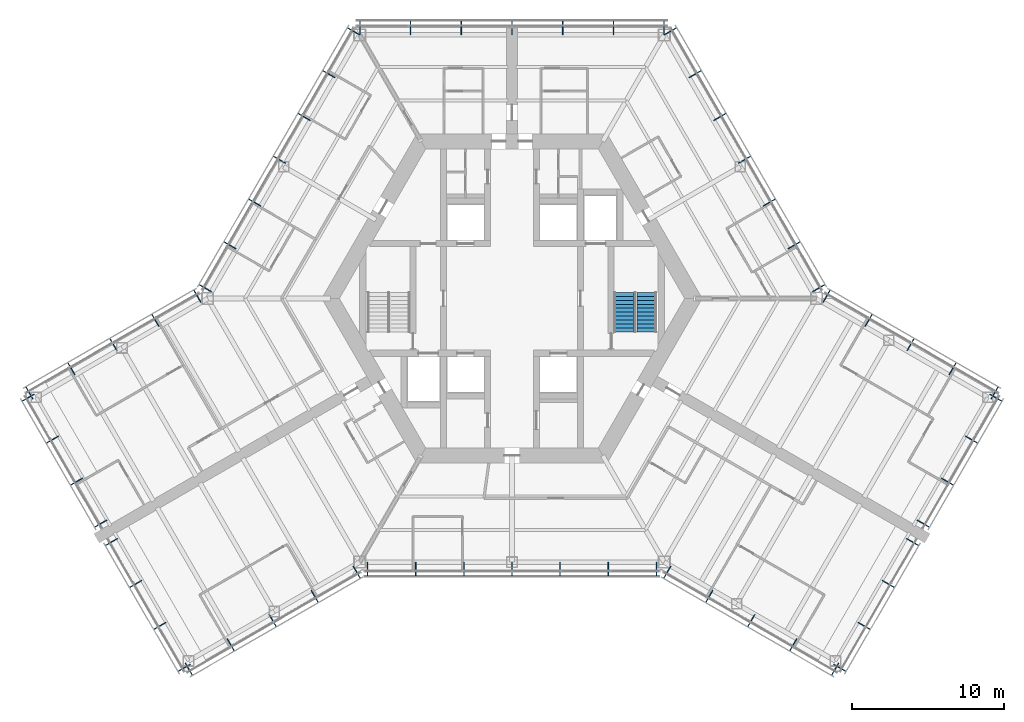
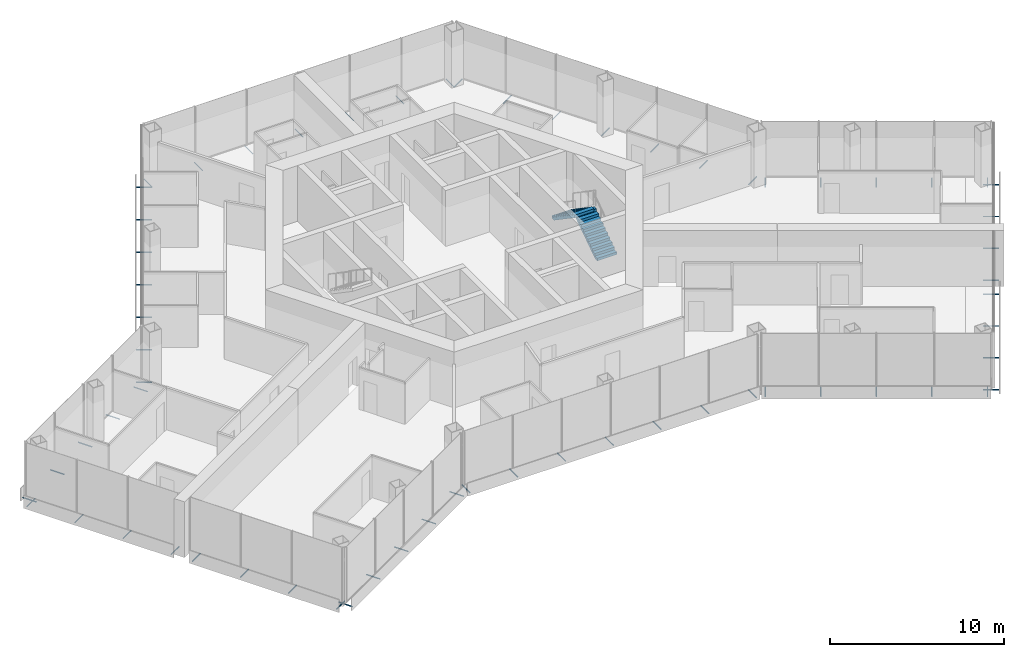
# One storey, part 16 of 18: 64 discrete accessories, 2 stair flights, 1 element without a shape of its own.
"""IFC4 building model written with IfcOpenShell, lengths in metres."""

from ifc_helpers import new_model, si_unit, direction, frame, origin, origin_2d, place, context, subcontext, project, spatial, polyline, hollow_circle, outline, extrude, material, material_profile, profile_set, type_object, element, aggregate, save


model = new_model("IFC4")

# Units and contexts
model_context = context("Model", 3, precision=1e-05, world=origin(), true_north=direction((0.0, 1.0)))
body_context = subcontext(model_context, "Body", "Model", "MODEL_VIEW")
ifc_project = project(units=[si_unit("LENGTHUNIT", "METRE"), si_unit("AREAUNIT", "SQUARE_METRE"), si_unit("VOLUMEUNIT", "CUBIC_METRE"), si_unit("PLANEANGLEUNIT", "RADIAN"), si_unit("MASSUNIT", "GRAM", prefix="KILO")], contexts=[model_context])

# Site, building, storey
site_placement = place(None, origin())
site = spatial("IfcSite", under=ifc_project, at=site_placement, CompositionType="ELEMENT")
building_placement = place(site_placement, origin())
building = spatial("IfcBuilding", under=site, at=building_placement, Name="Kasaneha Research Tower", CompositionType="ELEMENT")
storey_placement = place(building_placement, frame((0.0, 0.0, 140.89990234375)))
storey = spatial("IfcBuildingStorey", under=building, at=storey_placement, Name="L35", CompositionType="ELEMENT", Elevation=140.89990234375)

# Stair, stair flights
ifc_material_1 = material(Name="Concrete Fc24", Category="concrete")
stair_type = type_object("IfcStairType", Name="Half-turn stair 22 risers", PredefinedType="HALF_TURN_STAIR", material=ifc_material_1)
stair_placement = place(storey_placement, origin())
stair = element("IfcStair", 1, at=stair_placement, inside=storey, type_object=stair_type, Name="Stair 1 L35", PredefinedType="HALF_TURN_STAIR")
ifc_material_2 = material(Name="Concrete Fc24", Category="concrete")
stair_flight_type = type_object("IfcStairFlightType", Name="Stair flight 11 risers 177.3", PredefinedType="STRAIGHT", material=ifc_material_2)
stair_flight_1_placement = place(storey_placement, frame((8.85009765625, -2.199951171875, 0.0), z_axis=(0.0, 0.0, 1.0), x_axis=(0.0, 1.0, 0.0)))
stair_flight_1 = element("IfcStairFlight", 2, at=stair_flight_1_placement, type_object=stair_flight_type, Name="ST1-22R flight 1", NumberOfRisers=11, NumberOfTreads=10, PredefinedType="STRAIGHT", RiserHeight=0.177272727, TreadLength=0.26, context=body_context, shape_type="SweptSolid", body=[
    extrude(outline(polyline([(0.0, 0.0), (0.0, 0.17724609375), (0.260009765625, 0.17724609375), (0.260009765625, 0.3544921875), (0.52001953125, 0.3544921875), (0.52001953125, 0.53173828125), (0.780029296875, 0.53173828125), (0.780029296875, 0.708984375), (1.0400390625, 0.708984375), (1.0400390625, 0.886474609375), (1.300048828125, 0.886474609375), (1.300048828125, 1.063720703125), (1.56005859375, 1.063720703125), (1.56005859375, 1.240966796875), (1.820068359375, 1.240966796875), (1.820068359375, 1.418212890625), (2.080078125, 1.418212890625), (2.080078125, 1.595458984375), (2.340087890625, 1.595458984375), (2.340087890625, 1.772705078125), (2.60009765625, 1.772705078125), (2.60009765625, 1.949951171875), (2.60009765625, 1.59130859375), (0.26611328125, 0.0), (0.0, 0.0)])), frame((0.0, 0.64990234375, 0.0), z_axis=(0.0, -1.0, 0.0), x_axis=(1.0, 0.0, 0.0)), (0.0, 0.0, 1.0), 1.300048828125),
])
stair_flight_2_placement = place(storey_placement, frame((7.35009765625, 0.39990234375, 1.9501953125), z_axis=(0.0, 0.0, 1.0), x_axis=(0.0, -1.0, 0.0)))
stair_flight_2 = element("IfcStairFlight", 3, at=stair_flight_2_placement, type_object=stair_flight_type, Name="ST1-22R flight 2", NumberOfRisers=11, NumberOfTreads=10, PredefinedType="STRAIGHT", RiserHeight=0.177272727, TreadLength=0.26, context=body_context, shape_type="SweptSolid", body=[
    extrude(outline(polyline([(0.0, 0.0), (0.0, 0.17724609375), (0.260009765625, 0.17724609375), (0.260009765625, 0.3544921875), (0.52001953125, 0.3544921875), (0.52001953125, 0.53173828125), (0.780029296875, 0.53173828125), (0.780029296875, 0.708984375), (1.0400390625, 0.708984375), (1.0400390625, 0.886474609375), (1.300048828125, 0.886474609375), (1.300048828125, 1.063720703125), (1.56005859375, 1.063720703125), (1.56005859375, 1.240966796875), (1.820068359375, 1.240966796875), (1.820068359375, 1.418212890625), (2.080078125, 1.418212890625), (2.080078125, 1.595458984375), (2.340087890625, 1.595458984375), (2.340087890625, 1.772705078125), (2.60009765625, 1.772705078125), (2.60009765625, 1.949951171875), (2.60009765625, 1.59130859375), (0.26611328125, 0.0), (0.0, 0.0)])), frame((0.0, 0.64990234375, 0.0), z_axis=(0.0, -1.0, 0.0), x_axis=(1.0, 0.0, 0.0)), (0.0, 0.0, 1.0), 1.300048828125),
])
aggregate(stair, [stair_flight_1, stair_flight_2])

# Discrete accessories
ifc_material_3 = material(Name="Steel STK400", Category="steel")
ifc_material_profile = material_profile(ifc_material_3, hollow_circle(Radius=0.0380859375, WallThickness=0.00390625, at=origin_2d()), Name="CHS-76.3x4.0")
ifc_profile_set = profile_set([ifc_material_profile], Name="Steel STK400")
discrete_accessory_type = type_object("IfcDiscreteAccessoryType", Name="Screen bracket CHS-76.3x4.0", PredefinedType="BRACKET", material=ifc_profile_set)
for number, where, z_axis, x_axis, name in (
    (4, (-9.4892578125, -17.320556640625, -0.2998046875), (0.0, -1.0, 0.0), (1.0, 0.0, 0.0), "Screen bracket 1"),
    (5, (-6.326171875, -17.320556640625, -0.2998046875), (0.0, -1.0, 0.0), (1.0, 0.0, 0.0), "Screen bracket 2"),
    (6, (-3.1630859375, -17.320556640625, -0.2998046875), (0.0, -1.0, 0.0), (1.0, 0.0, 0.0), "Screen bracket 3"),
    (7, (0.0, -17.320556640625, -0.2998046875), (0.0, -1.0, 0.0), (1.0, 0.0, 0.0), "Screen bracket 4"),
    (8, (3.1630859375, -17.320556640625, -0.2998046875), (0.0, -1.0, 0.0), (1.0, 0.0, 0.0), "Screen bracket 5"),
    (9, (6.326171875, -17.320556640625, -0.2998046875), (0.0, -1.0, 0.0), (1.0, 0.0, 0.0), "Screen bracket 6"),
    (10, (9.4892578125, -17.320556640625, -0.2998046875), (0.0, -1.0, 0.0), (1.0, 0.0, 0.0), "Screen bracket 7"),
    (11, (10.4423828125, -17.575927734375, -0.2998046875), (-0.500021113727, -0.866013213425, 0.0), (0.866013213425, -0.500021113727, 0.0), "Screen bracket 1"),
):
    element("IfcDiscreteAccessory", number, at=place(storey_placement, frame(where, z_axis=z_axis, x_axis=x_axis)), inside=storey, type_object=discrete_accessory_type, Name=name, PredefinedType="BRACKET", context=body_context, shape_type="SweptSolid", body=[
        extrude(hollow_circle(Radius=0.0380859375, WallThickness=0.00390625, at=origin_2d()), origin(), (0.0, 0.0, 1.0), 0.919921875),
    ])
discrete_accessory_1_placement = place(storey_placement, frame((13.200439453125, -19.168212890625, -0.2998046875), z_axis=(-0.499906209203, -0.866079547155, 0.0), x_axis=(0.866079547155, -0.499906209203, 0.0)))
element("IfcDiscreteAccessory", 12, at=discrete_accessory_1_placement, inside=storey, type_object=discrete_accessory_type, Name="Screen bracket 2", PredefinedType="BRACKET", context=body_context, shape_type="SweptSolid", body=[
    extrude(hollow_circle(Radius=0.0380859375, WallThickness=0.00390625, at=origin_2d()), origin(), (0.0, 0.0, 1.0), 0.920166015625),
])
discrete_accessory_2_placement = place(storey_placement, frame((15.95849609375, -20.7607421875, -0.2998046875), z_axis=(-0.500021113727, -0.866013213425, 0.0), x_axis=(0.866013213425, -0.500021113727, 0.0)))
element("IfcDiscreteAccessory", 13, at=discrete_accessory_2_placement, inside=storey, type_object=discrete_accessory_type, Name="Screen bracket 3", PredefinedType="BRACKET", context=body_context, shape_type="SweptSolid", body=[
    extrude(hollow_circle(Radius=0.0380859375, WallThickness=0.00390625, at=origin_2d()), origin(), (0.0, 0.0, 1.0), 0.919921875),
])
discrete_accessory_3_placement = place(storey_placement, frame((18.716796875, -22.35302734375, -0.2998046875), z_axis=(-0.500105201737, -0.865964657013, 0.0), x_axis=(0.865964657013, -0.500105201737, 0.0)))
element("IfcDiscreteAccessory", 14, at=discrete_accessory_3_placement, inside=storey, type_object=discrete_accessory_type, Name="Screen bracket 4", PredefinedType="BRACKET", context=body_context, shape_type="SweptSolid", body=[
    extrude(hollow_circle(Radius=0.0380859375, WallThickness=0.00390625, at=origin_2d()), origin(), (0.0, 0.0, 1.0), 0.920166015625),
])
discrete_accessory_4_placement = place(storey_placement, frame((21.474853515625, -23.945556640625, -0.2998046875), z_axis=(-0.500021113727, -0.866013213425, 0.0), x_axis=(0.866013213425, -0.500021113727, 0.0)))
element("IfcDiscreteAccessory", 15, at=discrete_accessory_4_placement, inside=storey, type_object=discrete_accessory_type, Name="Screen bracket 5", PredefinedType="BRACKET", context=body_context, shape_type="SweptSolid", body=[
    extrude(hollow_circle(Radius=0.0380859375, WallThickness=0.00390625, at=origin_2d()), origin(), (0.0, 0.0, 1.0), 0.919921875),
])
discrete_accessory_5_placement = place(storey_placement, frame((21.13330078125, -24.037109375, -0.2998046875), z_axis=(0.866079547155, -0.499906209203, 0.0), x_axis=(0.499906209203, 0.866079547155, 0.0)))
element("IfcDiscreteAccessory", 16, at=discrete_accessory_5_placement, inside=storey, type_object=discrete_accessory_type, Name="Screen bracket 1", PredefinedType="BRACKET", context=body_context, shape_type="SweptSolid", body=[
    extrude(hollow_circle(Radius=0.0380859375, WallThickness=0.00390625, at=origin_2d()), origin(), (0.0, 0.0, 1.0), 0.920166015625),
])
discrete_accessory_6_placement = place(storey_placement, frame((22.72509765625, -21.2802734375, -0.2998046875), z_axis=(0.866013213425, -0.500021113727, 0.0), x_axis=(0.500021113727, 0.866013213425, 0.0)))
element("IfcDiscreteAccessory", 17, at=discrete_accessory_6_placement, inside=storey, type_object=discrete_accessory_type, Name="Screen bracket 2", PredefinedType="BRACKET", context=body_context, shape_type="SweptSolid", body=[
    extrude(hollow_circle(Radius=0.0380859375, WallThickness=0.00390625, at=origin_2d()), origin(), (0.0, 0.0, 1.0), 0.919921875),
])
discrete_accessory_7_placement = place(storey_placement, frame((24.316650390625, -18.5234375, -0.2998046875), z_axis=(0.866079547155, -0.499906209203, 0.0), x_axis=(0.499906209203, 0.866079547155, 0.0)))
element("IfcDiscreteAccessory", 18, at=discrete_accessory_7_placement, inside=storey, type_object=discrete_accessory_type, Name="Screen bracket 3", PredefinedType="BRACKET", context=body_context, shape_type="SweptSolid", body=[
    extrude(hollow_circle(Radius=0.0380859375, WallThickness=0.00390625, at=origin_2d()), origin(), (0.0, 0.0, 1.0), 0.920166015625),
])
for number, where, z_axis, x_axis, name in (
    (19, (25.908447265625, -15.766357421875, -0.2998046875), (0.865898279276, -0.500220121494, 0.0), (0.500220121494, 0.865898279276, 0.0), "Screen bracket 4"),
    (20, (26.6083984375, -14.553955078125, -0.2998046875), (0.866013213425, -0.500021113727, 0.0), (0.500021113727, 0.866013213425, 0.0), "Screen bracket 1"),
):
    element("IfcDiscreteAccessory", number, at=place(storey_placement, frame(where, z_axis=z_axis, x_axis=x_axis)), inside=storey, type_object=discrete_accessory_type, Name=name, PredefinedType="BRACKET", context=body_context, shape_type="SweptSolid", body=[
        extrude(hollow_circle(Radius=0.0380859375, WallThickness=0.00390625, at=origin_2d()), origin(), (0.0, 0.0, 1.0), 0.919921875),
    ])
discrete_accessory_8_placement = place(storey_placement, frame((28.199951171875, -11.797119140625, -0.2998046875), z_axis=(0.866079547155, -0.499906209203, 0.0), x_axis=(0.499906209203, 0.866079547155, 0.0)))
element("IfcDiscreteAccessory", 21, at=discrete_accessory_8_placement, inside=storey, type_object=discrete_accessory_type, Name="Screen bracket 2", PredefinedType="BRACKET", context=body_context, shape_type="SweptSolid", body=[
    extrude(hollow_circle(Radius=0.0380859375, WallThickness=0.00390625, at=origin_2d()), origin(), (0.0, 0.0, 1.0), 0.920166015625),
])
discrete_accessory_9_placement = place(storey_placement, frame((29.791748046875, -9.040283203125, -0.2998046875), z_axis=(0.866013213425, -0.500021113727, 0.0), x_axis=(0.500021113727, 0.866013213425, 0.0)))
element("IfcDiscreteAccessory", 22, at=discrete_accessory_9_placement, inside=storey, type_object=discrete_accessory_type, Name="Screen bracket 3", PredefinedType="BRACKET", context=body_context, shape_type="SweptSolid", body=[
    extrude(hollow_circle(Radius=0.0380859375, WallThickness=0.00390625, at=origin_2d()), origin(), (0.0, 0.0, 1.0), 0.919921875),
])
discrete_accessory_10_placement = place(storey_placement, frame((31.38330078125, -6.283447265625, -0.2998046875), z_axis=(0.866079547155, -0.499906209203, 0.0), x_axis=(0.499906209203, 0.866079547155, 0.0)))
element("IfcDiscreteAccessory", 23, at=discrete_accessory_10_placement, inside=storey, type_object=discrete_accessory_type, Name="Screen bracket 4", PredefinedType="BRACKET", context=body_context, shape_type="SweptSolid", body=[
    extrude(hollow_circle(Radius=0.0380859375, WallThickness=0.00390625, at=origin_2d()), origin(), (0.0, 0.0, 1.0), 0.920166015625),
])
discrete_accessory_11_placement = place(storey_placement, frame((31.474853515625, -6.625, -0.2998046875), z_axis=(0.500021113727, 0.866013213425, 0.0), x_axis=(-0.866013213425, 0.500021113727, 0.0)))
element("IfcDiscreteAccessory", 24, at=discrete_accessory_11_placement, inside=storey, type_object=discrete_accessory_type, Name="Screen bracket 1", PredefinedType="BRACKET", context=body_context, shape_type="SweptSolid", body=[
    extrude(hollow_circle(Radius=0.0380859375, WallThickness=0.00390625, at=origin_2d()), origin(), (0.0, 0.0, 1.0), 0.919921875),
])
discrete_accessory_12_placement = place(storey_placement, frame((28.716796875, -5.03271484375, -0.2998046875), z_axis=(0.499906209203, 0.866079547155, 0.0), x_axis=(-0.866079547155, 0.499906209203, 0.0)))
element("IfcDiscreteAccessory", 25, at=discrete_accessory_12_placement, inside=storey, type_object=discrete_accessory_type, Name="Screen bracket 2", PredefinedType="BRACKET", context=body_context, shape_type="SweptSolid", body=[
    extrude(hollow_circle(Radius=0.0380859375, WallThickness=0.00390625, at=origin_2d()), origin(), (0.0, 0.0, 1.0), 0.920166015625),
])
discrete_accessory_13_placement = place(storey_placement, frame((25.95849609375, -3.440185546875, -0.2998046875), z_axis=(0.500220121494, 0.865898279276, 0.0), x_axis=(-0.865898279276, 0.500220121494, 0.0)))
element("IfcDiscreteAccessory", 26, at=discrete_accessory_13_placement, inside=storey, type_object=discrete_accessory_type, Name="Screen bracket 3", PredefinedType="BRACKET", context=body_context, shape_type="SweptSolid", body=[
    extrude(hollow_circle(Radius=0.0380859375, WallThickness=0.00390625, at=origin_2d()), origin(), (0.0, 0.0, 1.0), 0.919921875),
])
discrete_accessory_14_placement = place(storey_placement, frame((23.200439453125, -1.847900390625, -0.2998046875), z_axis=(0.499906209203, 0.866079547155, 0.0), x_axis=(-0.866079547155, 0.499906209203, 0.0)))
element("IfcDiscreteAccessory", 27, at=discrete_accessory_14_placement, inside=storey, type_object=discrete_accessory_type, Name="Screen bracket 4", PredefinedType="BRACKET", context=body_context, shape_type="SweptSolid", body=[
    extrude(hollow_circle(Radius=0.0380859375, WallThickness=0.00390625, at=origin_2d()), origin(), (0.0, 0.0, 1.0), 0.920166015625),
])
for number, where, z_axis, x_axis, name in (
    (28, (20.4423828125, -0.25537109375, -0.2998046875), (0.500021113727, 0.866013213425, 0.0), (-0.866013213425, 0.500021113727, 0.0), "Screen bracket 5"),
    (29, (19.74462890625, 0.4423828125, -0.2998046875), (0.866013213425, 0.500021113727, 0.0), (-0.500021113727, 0.866013213425, 0.0), "Screen bracket 1"),
    (30, (18.120849609375, 3.2548828125, -0.2998046875), (0.866013213425, 0.500021113727, 0.0), (-0.500021113727, 0.866013213425, 0.0), "Screen bracket 2"),
    (31, (16.4970703125, 6.0673828125, -0.2998046875), (0.866013213425, 0.500021113727, 0.0), (-0.500021113727, 0.866013213425, 0.0), "Screen bracket 3"),
    (32, (14.873291015625, 8.8798828125, -0.2998046875), (0.866013213425, 0.500021113727, 0.0), (-0.500021113727, 0.866013213425, 0.0), "Screen bracket 4"),
    (33, (13.24951171875, 11.6923828125, -0.2998046875), (0.866013213425, 0.500021113727, 0.0), (-0.500021113727, 0.866013213425, 0.0), "Screen bracket 5"),
):
    element("IfcDiscreteAccessory", number, at=place(storey_placement, frame(where, z_axis=z_axis, x_axis=x_axis)), inside=storey, type_object=discrete_accessory_type, Name=name, PredefinedType="BRACKET", context=body_context, shape_type="SweptSolid", body=[
        extrude(hollow_circle(Radius=0.0380859375, WallThickness=0.00390625, at=origin_2d()), origin(), (0.0, 0.0, 1.0), 0.919921875),
    ])
for number, where, z_axis, x_axis, name in (
    (34, (11.62548828125, 14.5048828125, -0.2998046875), (0.866079547155, 0.499906209203, 0.0), (-0.499906209203, 0.866079547155, 0.0), "Screen bracket 6"),
    (35, (10.001708984375, 17.3173828125, -0.2998046875), (0.866079547155, 0.499906209203, 0.0), (-0.499906209203, 0.866079547155, 0.0), "Screen bracket 7"),
):
    element("IfcDiscreteAccessory", number, at=place(storey_placement, frame(where, z_axis=z_axis, x_axis=x_axis)), inside=storey, type_object=discrete_accessory_type, Name=name, PredefinedType="BRACKET", context=body_context, shape_type="SweptSolid", body=[
        extrude(hollow_circle(Radius=0.0380859375, WallThickness=0.00390625, at=origin_2d()), origin(), (0.0, 0.0, 1.0), 0.920166015625),
    ])
for number, where, z_axis, x_axis, name in (
    (36, (9.996337890625, 17.320556640625, -0.2998046875), (0.0, 1.0, 0.0), (-1.0, 0.0, 0.0), "Screen bracket 1"),
    (37, (6.664306640625, 17.320556640625, -0.2998046875), (0.0, 1.0, 0.0), (-1.0, 0.0, 0.0), "Screen bracket 2"),
    (38, (3.33203125, 17.320556640625, -0.2998046875), (0.0, 1.0, 0.0), (-1.0, 0.0, 0.0), "Screen bracket 3"),
    (39, (0.0, 17.320556640625, -0.2998046875), (0.0, 1.0, 0.0), (-1.0, 0.0, 0.0), "Screen bracket 4"),
    (40, (-3.33203125, 17.320556640625, -0.2998046875), (0.0, 1.0, 0.0), (-1.0, 0.0, 0.0), "Screen bracket 5"),
    (41, (-6.664306640625, 17.320556640625, -0.2998046875), (0.0, 1.0, 0.0), (-1.0, 0.0, 0.0), "Screen bracket 6"),
    (42, (-9.996337890625, 17.320556640625, -0.2998046875), (0.0, 1.0, 0.0), (-1.0, 0.0, 0.0), "Screen bracket 7"),
):
    element("IfcDiscreteAccessory", number, at=place(storey_placement, frame(where, z_axis=z_axis, x_axis=x_axis)), inside=storey, type_object=discrete_accessory_type, Name=name, PredefinedType="BRACKET", context=body_context, shape_type="SweptSolid", body=[
        extrude(hollow_circle(Radius=0.0380859375, WallThickness=0.00390625, at=origin_2d()), origin(), (0.0, 0.0, 1.0), 0.919921875),
    ])
for number, where, z_axis, x_axis, name in (
    (43, (-10.001708984375, 17.3173828125, -0.2998046875), (-0.866079547155, 0.499906209203, 0.0), (-0.499906209203, -0.866079547155, 0.0), "Screen bracket 1"),
    (44, (-11.62548828125, 14.5048828125, -0.2998046875), (-0.866079547155, 0.499906209203, 0.0), (-0.499906209203, -0.866079547155, 0.0), "Screen bracket 2"),
):
    element("IfcDiscreteAccessory", number, at=place(storey_placement, frame(where, z_axis=z_axis, x_axis=x_axis)), inside=storey, type_object=discrete_accessory_type, Name=name, PredefinedType="BRACKET", context=body_context, shape_type="SweptSolid", body=[
        extrude(hollow_circle(Radius=0.0380859375, WallThickness=0.00390625, at=origin_2d()), origin(), (0.0, 0.0, 1.0), 0.920166015625),
    ])
for number, where, z_axis, x_axis, name in (
    (45, (-13.24951171875, 11.6923828125, -0.2998046875), (-0.866013213425, 0.500021113727, 0.0), (-0.500021113727, -0.866013213425, 0.0), "Screen bracket 3"),
    (46, (-14.873291015625, 8.8798828125, -0.2998046875), (-0.866013213425, 0.500021113727, 0.0), (-0.500021113727, -0.866013213425, 0.0), "Screen bracket 4"),
    (47, (-16.4970703125, 6.0673828125, -0.2998046875), (-0.866013213425, 0.500021113727, 0.0), (-0.500021113727, -0.866013213425, 0.0), "Screen bracket 5"),
    (48, (-18.120849609375, 3.2548828125, -0.2998046875), (-0.866013213425, 0.500021113727, 0.0), (-0.500021113727, -0.866013213425, 0.0), "Screen bracket 6"),
    (49, (-19.74462890625, 0.4423828125, -0.2998046875), (-0.866013213425, 0.500021113727, 0.0), (-0.500021113727, -0.866013213425, 0.0), "Screen bracket 7"),
    (50, (-20.4423828125, -0.25537109375, -0.2998046875), (-0.500021113727, 0.866013213425, 0.0), (-0.866013213425, -0.500021113727, 0.0), "Screen bracket 1"),
):
    element("IfcDiscreteAccessory", number, at=place(storey_placement, frame(where, z_axis=z_axis, x_axis=x_axis)), inside=storey, type_object=discrete_accessory_type, Name=name, PredefinedType="BRACKET", context=body_context, shape_type="SweptSolid", body=[
        extrude(hollow_circle(Radius=0.0380859375, WallThickness=0.00390625, at=origin_2d()), origin(), (0.0, 0.0, 1.0), 0.919921875),
    ])
discrete_accessory_15_placement = place(storey_placement, frame((-23.200439453125, -1.847900390625, -0.2998046875), z_axis=(-0.499906209203, 0.866079547155, 0.0), x_axis=(-0.866079547155, -0.499906209203, 0.0)))
element("IfcDiscreteAccessory", 51, at=discrete_accessory_15_placement, inside=storey, type_object=discrete_accessory_type, Name="Screen bracket 2", PredefinedType="BRACKET", context=body_context, shape_type="SweptSolid", body=[
    extrude(hollow_circle(Radius=0.0380859375, WallThickness=0.00390625, at=origin_2d()), origin(), (0.0, 0.0, 1.0), 0.920166015625),
])
discrete_accessory_16_placement = place(storey_placement, frame((-25.95849609375, -3.440185546875, -0.2998046875), z_axis=(-0.500220121494, 0.865898279276, 0.0), x_axis=(-0.865898279276, -0.500220121494, 0.0)))
element("IfcDiscreteAccessory", 52, at=discrete_accessory_16_placement, inside=storey, type_object=discrete_accessory_type, Name="Screen bracket 3", PredefinedType="BRACKET", context=body_context, shape_type="SweptSolid", body=[
    extrude(hollow_circle(Radius=0.0380859375, WallThickness=0.00390625, at=origin_2d()), origin(), (0.0, 0.0, 1.0), 0.919921875),
])
discrete_accessory_17_placement = place(storey_placement, frame((-28.716796875, -5.03271484375, -0.2998046875), z_axis=(-0.499906209203, 0.866079547155, 0.0), x_axis=(-0.866079547155, -0.499906209203, 0.0)))
element("IfcDiscreteAccessory", 53, at=discrete_accessory_17_placement, inside=storey, type_object=discrete_accessory_type, Name="Screen bracket 4", PredefinedType="BRACKET", context=body_context, shape_type="SweptSolid", body=[
    extrude(hollow_circle(Radius=0.0380859375, WallThickness=0.00390625, at=origin_2d()), origin(), (0.0, 0.0, 1.0), 0.920166015625),
])
discrete_accessory_18_placement = place(storey_placement, frame((-31.474853515625, -6.625, -0.2998046875), z_axis=(-0.500021113727, 0.866013213425, 0.0), x_axis=(-0.866013213425, -0.500021113727, 0.0)))
element("IfcDiscreteAccessory", 54, at=discrete_accessory_18_placement, inside=storey, type_object=discrete_accessory_type, Name="Screen bracket 5", PredefinedType="BRACKET", context=body_context, shape_type="SweptSolid", body=[
    extrude(hollow_circle(Radius=0.0380859375, WallThickness=0.00390625, at=origin_2d()), origin(), (0.0, 0.0, 1.0), 0.919921875),
])
discrete_accessory_19_placement = place(storey_placement, frame((-31.38330078125, -6.283447265625, -0.2998046875), z_axis=(-0.866079547155, -0.499906209203, 0.0), x_axis=(0.499906209203, -0.866079547155, 0.0)))
element("IfcDiscreteAccessory", 55, at=discrete_accessory_19_placement, inside=storey, type_object=discrete_accessory_type, Name="Screen bracket 1", PredefinedType="BRACKET", context=body_context, shape_type="SweptSolid", body=[
    extrude(hollow_circle(Radius=0.0380859375, WallThickness=0.00390625, at=origin_2d()), origin(), (0.0, 0.0, 1.0), 0.920166015625),
])
discrete_accessory_20_placement = place(storey_placement, frame((-29.791748046875, -9.040283203125, -0.2998046875), z_axis=(-0.866013213425, -0.500021113727, 0.0), x_axis=(0.500021113727, -0.866013213425, 0.0)))
element("IfcDiscreteAccessory", 56, at=discrete_accessory_20_placement, inside=storey, type_object=discrete_accessory_type, Name="Screen bracket 2", PredefinedType="BRACKET", context=body_context, shape_type="SweptSolid", body=[
    extrude(hollow_circle(Radius=0.0380859375, WallThickness=0.00390625, at=origin_2d()), origin(), (0.0, 0.0, 1.0), 0.919921875),
])
discrete_accessory_21_placement = place(storey_placement, frame((-28.199951171875, -11.797119140625, -0.2998046875), z_axis=(-0.866079547155, -0.499906209203, 0.0), x_axis=(0.499906209203, -0.866079547155, 0.0)))
element("IfcDiscreteAccessory", 57, at=discrete_accessory_21_placement, inside=storey, type_object=discrete_accessory_type, Name="Screen bracket 3", PredefinedType="BRACKET", context=body_context, shape_type="SweptSolid", body=[
    extrude(hollow_circle(Radius=0.0380859375, WallThickness=0.00390625, at=origin_2d()), origin(), (0.0, 0.0, 1.0), 0.920166015625),
])
for number, where, z_axis, x_axis, name in (
    (58, (-26.6083984375, -14.553955078125, -0.2998046875), (-0.866013213425, -0.500021113727, 0.0), (0.500021113727, -0.866013213425, 0.0), "Screen bracket 4"),
    (59, (-25.908447265625, -15.766357421875, -0.2998046875), (-0.865898279276, -0.500220121494, 0.0), (0.500220121494, -0.865898279276, 0.0), "Screen bracket 1"),
):
    element("IfcDiscreteAccessory", number, at=place(storey_placement, frame(where, z_axis=z_axis, x_axis=x_axis)), inside=storey, type_object=discrete_accessory_type, Name=name, PredefinedType="BRACKET", context=body_context, shape_type="SweptSolid", body=[
        extrude(hollow_circle(Radius=0.0380859375, WallThickness=0.00390625, at=origin_2d()), origin(), (0.0, 0.0, 1.0), 0.919921875),
    ])
discrete_accessory_22_placement = place(storey_placement, frame((-24.316650390625, -18.5234375, -0.2998046875), z_axis=(-0.866079547155, -0.499906209203, 0.0), x_axis=(0.499906209203, -0.866079547155, 0.0)))
element("IfcDiscreteAccessory", 60, at=discrete_accessory_22_placement, inside=storey, type_object=discrete_accessory_type, Name="Screen bracket 2", PredefinedType="BRACKET", context=body_context, shape_type="SweptSolid", body=[
    extrude(hollow_circle(Radius=0.0380859375, WallThickness=0.00390625, at=origin_2d()), origin(), (0.0, 0.0, 1.0), 0.920166015625),
])
discrete_accessory_23_placement = place(storey_placement, frame((-22.72509765625, -21.2802734375, -0.2998046875), z_axis=(-0.866013213425, -0.500021113727, 0.0), x_axis=(0.500021113727, -0.866013213425, 0.0)))
element("IfcDiscreteAccessory", 61, at=discrete_accessory_23_placement, inside=storey, type_object=discrete_accessory_type, Name="Screen bracket 3", PredefinedType="BRACKET", context=body_context, shape_type="SweptSolid", body=[
    extrude(hollow_circle(Radius=0.0380859375, WallThickness=0.00390625, at=origin_2d()), origin(), (0.0, 0.0, 1.0), 0.919921875),
])
discrete_accessory_24_placement = place(storey_placement, frame((-21.13330078125, -24.037109375, -0.2998046875), z_axis=(-0.866079547155, -0.499906209203, 0.0), x_axis=(0.499906209203, -0.866079547155, 0.0)))
element("IfcDiscreteAccessory", 62, at=discrete_accessory_24_placement, inside=storey, type_object=discrete_accessory_type, Name="Screen bracket 4", PredefinedType="BRACKET", context=body_context, shape_type="SweptSolid", body=[
    extrude(hollow_circle(Radius=0.0380859375, WallThickness=0.00390625, at=origin_2d()), origin(), (0.0, 0.0, 1.0), 0.920166015625),
])
discrete_accessory_25_placement = place(storey_placement, frame((-21.474853515625, -23.945556640625, -0.2998046875), z_axis=(0.500021113727, -0.866013213425, 0.0), x_axis=(0.866013213425, 0.500021113727, 0.0)))
element("IfcDiscreteAccessory", 63, at=discrete_accessory_25_placement, inside=storey, type_object=discrete_accessory_type, Name="Screen bracket 1", PredefinedType="BRACKET", context=body_context, shape_type="SweptSolid", body=[
    extrude(hollow_circle(Radius=0.0380859375, WallThickness=0.00390625, at=origin_2d()), origin(), (0.0, 0.0, 1.0), 0.919921875),
])
discrete_accessory_26_placement = place(storey_placement, frame((-18.716796875, -22.35302734375, -0.2998046875), z_axis=(0.500105201737, -0.865964657013, 0.0), x_axis=(0.865964657013, 0.500105201737, 0.0)))
element("IfcDiscreteAccessory", 64, at=discrete_accessory_26_placement, inside=storey, type_object=discrete_accessory_type, Name="Screen bracket 2", PredefinedType="BRACKET", context=body_context, shape_type="SweptSolid", body=[
    extrude(hollow_circle(Radius=0.0380859375, WallThickness=0.00390625, at=origin_2d()), origin(), (0.0, 0.0, 1.0), 0.920166015625),
])
discrete_accessory_27_placement = place(storey_placement, frame((-15.95849609375, -20.7607421875, -0.2998046875), z_axis=(0.500021113727, -0.866013213425, 0.0), x_axis=(0.866013213425, 0.500021113727, 0.0)))
element("IfcDiscreteAccessory", 65, at=discrete_accessory_27_placement, inside=storey, type_object=discrete_accessory_type, Name="Screen bracket 3", PredefinedType="BRACKET", context=body_context, shape_type="SweptSolid", body=[
    extrude(hollow_circle(Radius=0.0380859375, WallThickness=0.00390625, at=origin_2d()), origin(), (0.0, 0.0, 1.0), 0.919921875),
])
discrete_accessory_28_placement = place(storey_placement, frame((-13.200439453125, -19.168212890625, -0.2998046875), z_axis=(0.499906209203, -0.866079547155, 0.0), x_axis=(0.866079547155, 0.499906209203, 0.0)))
element("IfcDiscreteAccessory", 66, at=discrete_accessory_28_placement, inside=storey, type_object=discrete_accessory_type, Name="Screen bracket 4", PredefinedType="BRACKET", context=body_context, shape_type="SweptSolid", body=[
    extrude(hollow_circle(Radius=0.0380859375, WallThickness=0.00390625, at=origin_2d()), origin(), (0.0, 0.0, 1.0), 0.920166015625),
])
discrete_accessory_29_placement = place(storey_placement, frame((-10.4423828125, -17.575927734375, -0.2998046875), z_axis=(0.500021113727, -0.866013213425, 0.0), x_axis=(0.866013213425, 0.500021113727, 0.0)))
element("IfcDiscreteAccessory", 67, at=discrete_accessory_29_placement, inside=storey, type_object=discrete_accessory_type, Name="Screen bracket 5", PredefinedType="BRACKET", context=body_context, shape_type="SweptSolid", body=[
    extrude(hollow_circle(Radius=0.0380859375, WallThickness=0.00390625, at=origin_2d()), origin(), (0.0, 0.0, 1.0), 0.919921875),
])

save(model, "model.ifc")
